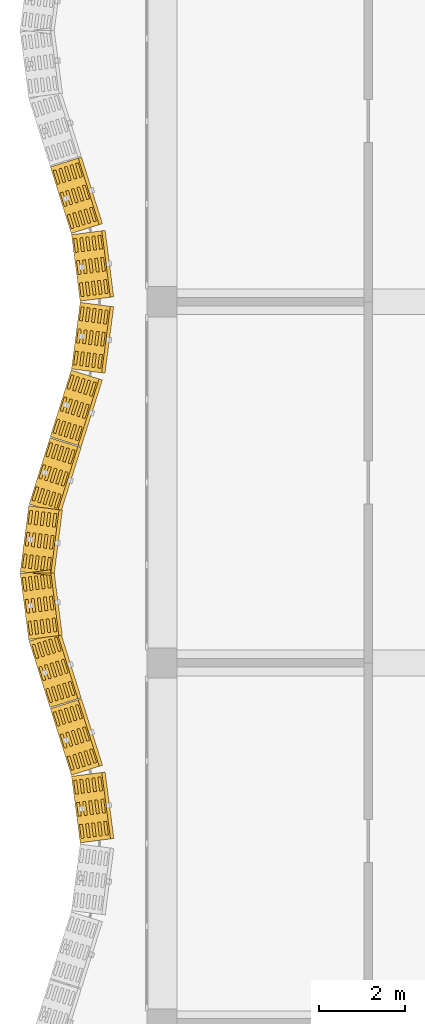
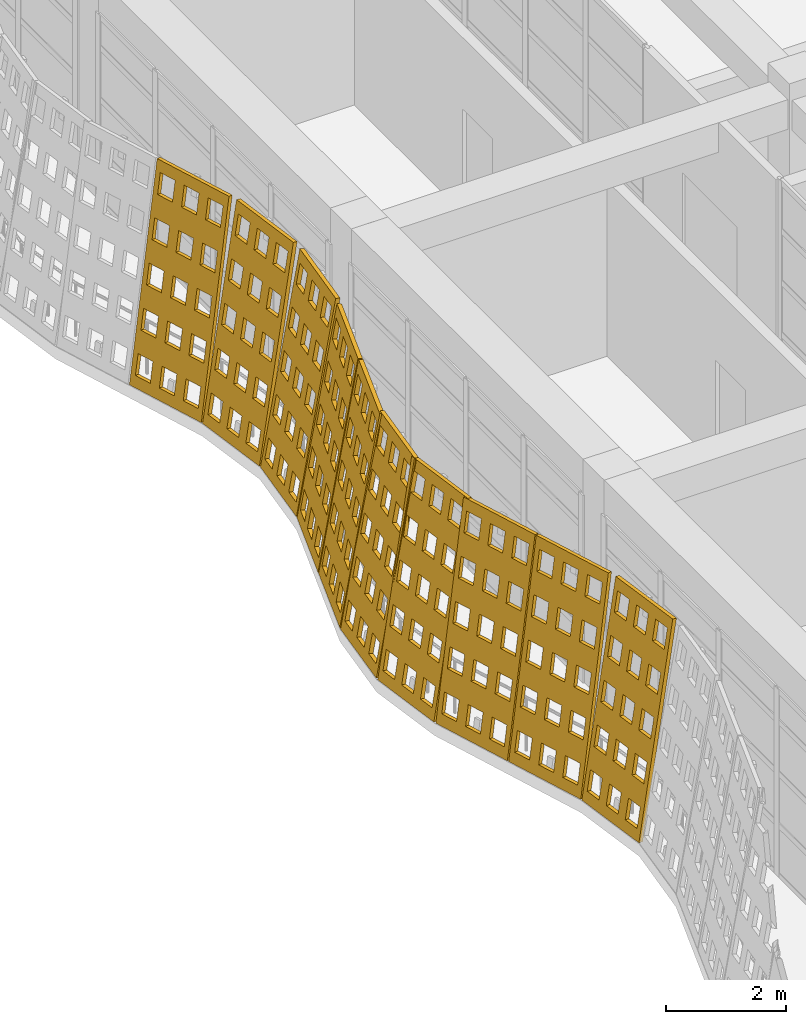
# One storey, part 74 of 85: 10 coverings.
"""IFC4 building model written with IfcOpenShell, lengths in metres."""

from ifc_helpers import new_model, si_unit, direction, frame, origin, place, context, subcontext, project, spatial, polyline, outline, extrude, material, layer, layer_set, type_object, element, save


model = new_model("IFC4")

# Units and contexts
model_context = context("Model", 3, precision=1e-05, world=origin(), true_north=direction((0.0, 1.0)))
body_context = subcontext(model_context, "Body", "Model", "MODEL_VIEW")
ifc_project = project(units=[si_unit("LENGTHUNIT", "METRE"), si_unit("AREAUNIT", "SQUARE_METRE"), si_unit("VOLUMEUNIT", "CUBIC_METRE"), si_unit("PLANEANGLEUNIT", "RADIAN"), si_unit("MASSUNIT", "GRAM", prefix="KILO")], contexts=[model_context])

# Site, building, storey
site_placement = place(None, origin())
site = spatial("IfcSite", under=ifc_project, at=site_placement, CompositionType="ELEMENT")
building_placement = place(site_placement, origin())
building = spatial("IfcBuilding", under=site, at=building_placement, Name="Rain Tree Exposition and Congress Centre", CompositionType="ELEMENT")
storey_placement = place(building_placement, frame((0.0, 0.0, 15.0)))
storey = spatial("IfcBuildingStorey", under=building, at=storey_placement, Name="L03", CompositionType="ELEMENT", Elevation=15.0)

# Coverings
ifc_material = material(Name="Perforated terracotta", Category="masonry")
ifc_layer = layer(ifc_material, 0.080078125)
ifc_layer_set = layer_set([ifc_layer], Name="Perforated terracotta")
covering_type = type_object("IfcCoveringType", Name="Terracotta screen 80", PredefinedType="CLADDING", material=ifc_layer_set)
covering_1_placement = place(storey_placement, frame((-2.598388671875, 28.3505859375, 0.0126953125), z_axis=(0.942029390639, 0.295717964052, -0.158529217842), x_axis=(-0.29950542383, 0.954094597562, 0.0)))
element("IfcCovering", 1, at=covering_1_placement, inside=storey, type_object=covering_type, Name="wing/screen/L03/117", PredefinedType="CLADDING", context=body_context, shape_type="SweptSolid", body=[
    extrude(outline(polyline([(-1.635986328125, 0.0), (-1.635986328125, 4.291259765625), (-0.014892578125, 4.291259765625), (-0.014892578125, 0.0), (-1.635986328125, 0.0)]), holes=[polyline([(-0.11767578125, 0.221435546875), (-0.11767578125, 0.63671875), (-0.45263671875, 0.63671875), (-0.45263671875, 0.221435546875), (-0.11767578125, 0.221435546875)]), polyline([(-0.11767578125, 1.07958984375), (-0.11767578125, 1.4951171875), (-0.45263671875, 1.4951171875), (-0.45263671875, 1.07958984375), (-0.11767578125, 1.07958984375)]), polyline([(-0.11767578125, 1.93798828125), (-0.11767578125, 2.353271484375), (-0.45263671875, 2.353271484375), (-0.45263671875, 1.93798828125), (-0.11767578125, 1.93798828125)]), polyline([(-0.11767578125, 2.796142578125), (-0.11767578125, 3.21142578125), (-0.45263671875, 3.21142578125), (-0.45263671875, 2.796142578125), (-0.11767578125, 2.796142578125)]), polyline([(-0.11767578125, 3.654541015625), (-0.11767578125, 4.06982421875), (-0.45263671875, 4.06982421875), (-0.45263671875, 3.654541015625), (-0.11767578125, 3.654541015625)]), polyline([(-0.657958984375, 0.221435546875), (-0.657958984375, 0.63671875), (-0.992919921875, 0.63671875), (-0.992919921875, 0.221435546875), (-0.657958984375, 0.221435546875)]), polyline([(-0.657958984375, 1.07958984375), (-0.657958984375, 1.4951171875), (-0.992919921875, 1.4951171875), (-0.992919921875, 1.07958984375), (-0.657958984375, 1.07958984375)]), polyline([(-0.657958984375, 1.93798828125), (-0.657958984375, 2.353271484375), (-0.992919921875, 2.353271484375), (-0.992919921875, 1.93798828125), (-0.657958984375, 1.93798828125)]), polyline([(-0.657958984375, 2.796142578125), (-0.657958984375, 3.21142578125), (-0.992919921875, 3.21142578125), (-0.992919921875, 2.796142578125), (-0.657958984375, 2.796142578125)]), polyline([(-0.657958984375, 3.654541015625), (-0.657958984375, 4.06982421875), (-0.992919921875, 4.06982421875), (-0.992919921875, 3.654541015625), (-0.657958984375, 3.654541015625)]), polyline([(-1.1982421875, 0.221435546875), (-1.1982421875, 0.63671875), (-1.533203125, 0.63671875), (-1.533203125, 0.221435546875), (-1.1982421875, 0.221435546875)]), polyline([(-1.1982421875, 1.07958984375), (-1.1982421875, 1.4951171875), (-1.533203125, 1.4951171875), (-1.533203125, 1.07958984375), (-1.1982421875, 1.07958984375)]), polyline([(-1.1982421875, 1.93798828125), (-1.1982421875, 2.353271484375), (-1.533203125, 2.353271484375), (-1.533203125, 1.93798828125), (-1.1982421875, 1.93798828125)]), polyline([(-1.1982421875, 2.796142578125), (-1.1982421875, 3.21142578125), (-1.533203125, 3.21142578125), (-1.533203125, 2.796142578125), (-1.1982421875, 2.796142578125)]), polyline([(-1.1982421875, 3.654541015625), (-1.1982421875, 4.06982421875), (-1.533203125, 4.06982421875), (-1.533203125, 3.654541015625), (-1.1982421875, 3.654541015625)])]), origin(), (0.0, 0.0, 1.0), 0.080078125),
])
covering_2_placement = place(storey_placement, frame((-2.10302734375, 26.775390625, 0.01318359375), z_axis=(0.978282259159, 0.125342414455, -0.165085131233), x_axis=(-0.127086122318, 0.991891686382, 0.0)))
element("IfcCovering", 2, at=covering_2_placement, inside=storey, type_object=covering_type, Name="wing/screen/L03/118", PredefinedType="CLADDING", context=body_context, shape_type="SweptSolid", body=[
    extrude(outline(polyline([(-1.5732421875, 0.0), (-1.5732421875, 4.295166015625), (-0.014892578125, 4.295166015625), (-0.014892578125, 0.0), (-1.5732421875, 0.0)]), holes=[polyline([(-0.11376953125, 0.2216796875), (-0.11376953125, 0.63720703125), (-0.435791015625, 0.63720703125), (-0.435791015625, 0.2216796875), (-0.11376953125, 0.2216796875)]), polyline([(-0.11376953125, 1.080810546875), (-0.11376953125, 1.496337890625), (-0.435791015625, 1.496337890625), (-0.435791015625, 1.080810546875), (-0.11376953125, 1.080810546875)]), polyline([(-0.11376953125, 1.939697265625), (-0.11376953125, 2.35546875), (-0.435791015625, 2.35546875), (-0.435791015625, 1.939697265625), (-0.11376953125, 1.939697265625)]), polyline([(-0.11376953125, 2.798583984375), (-0.11376953125, 3.21435546875), (-0.435791015625, 3.21435546875), (-0.435791015625, 2.798583984375), (-0.11376953125, 2.798583984375)]), polyline([(-0.11376953125, 3.65771484375), (-0.11376953125, 4.073486328125), (-0.435791015625, 4.073486328125), (-0.435791015625, 3.65771484375), (-0.11376953125, 3.65771484375)]), polyline([(-0.633056640625, 0.2216796875), (-0.633056640625, 0.63720703125), (-0.955078125, 0.63720703125), (-0.955078125, 0.2216796875), (-0.633056640625, 0.2216796875)]), polyline([(-0.633056640625, 1.080810546875), (-0.633056640625, 1.496337890625), (-0.955078125, 1.496337890625), (-0.955078125, 1.080810546875), (-0.633056640625, 1.080810546875)]), polyline([(-0.633056640625, 1.939697265625), (-0.633056640625, 2.35546875), (-0.955078125, 2.35546875), (-0.955078125, 1.939697265625), (-0.633056640625, 1.939697265625)]), polyline([(-0.633056640625, 2.798583984375), (-0.633056640625, 3.21435546875), (-0.955078125, 3.21435546875), (-0.955078125, 2.798583984375), (-0.633056640625, 2.798583984375)]), polyline([(-0.633056640625, 3.65771484375), (-0.633056640625, 4.073486328125), (-0.955078125, 4.073486328125), (-0.955078125, 3.65771484375), (-0.633056640625, 3.65771484375)]), polyline([(-1.152587890625, 0.2216796875), (-1.152587890625, 0.63720703125), (-1.474609375, 0.63720703125), (-1.474609375, 0.2216796875), (-1.152587890625, 0.2216796875)]), polyline([(-1.152587890625, 1.080810546875), (-1.152587890625, 1.496337890625), (-1.474609375, 1.496337890625), (-1.474609375, 1.080810546875), (-1.152587890625, 1.080810546875)]), polyline([(-1.152587890625, 1.939697265625), (-1.152587890625, 2.35546875), (-1.474609375, 2.35546875), (-1.474609375, 1.939697265625), (-1.152587890625, 1.939697265625)]), polyline([(-1.152587890625, 2.798583984375), (-1.152587890625, 3.21435546875), (-1.474609375, 3.21435546875), (-1.474609375, 2.798583984375), (-1.152587890625, 2.798583984375)]), polyline([(-1.152587890625, 3.65771484375), (-1.152587890625, 4.073486328125), (-1.474609375, 4.073486328125), (-1.474609375, 3.65771484375), (-1.152587890625, 3.65771484375)])]), origin(), (0.0, 0.0, 1.0), 0.079833984375),
])
covering_3_placement = place(storey_placement, frame((-1.898193359375, 25.19970703125, 0.01318359375), z_axis=(0.978036007662, -0.127967328105, -0.16452942185), x_axis=(0.129735338481, 0.991548658387, 0.0)))
element("IfcCovering", 3, at=covering_3_placement, inside=storey, type_object=covering_type, Name="wing/screen/L03/119", PredefinedType="CLADDING", context=body_context, shape_type="SweptSolid", body=[
    extrude(outline(polyline([(-1.5732421875, 0.0), (-1.5732421875, 4.295166015625), (-0.014892578125, 4.295166015625), (-0.014892578125, 0.0), (-1.5732421875, 0.0)]), holes=[polyline([(-0.11376953125, 0.2216796875), (-0.11376953125, 0.63720703125), (-0.435791015625, 0.63720703125), (-0.435791015625, 0.2216796875), (-0.11376953125, 0.2216796875)]), polyline([(-0.11376953125, 1.080810546875), (-0.11376953125, 1.496337890625), (-0.435791015625, 1.496337890625), (-0.435791015625, 1.080810546875), (-0.11376953125, 1.080810546875)]), polyline([(-0.11376953125, 1.939697265625), (-0.11376953125, 2.35546875), (-0.435791015625, 2.35546875), (-0.435791015625, 1.939697265625), (-0.11376953125, 1.939697265625)]), polyline([(-0.11376953125, 2.798583984375), (-0.11376953125, 3.21435546875), (-0.435791015625, 3.21435546875), (-0.435791015625, 2.798583984375), (-0.11376953125, 2.798583984375)]), polyline([(-0.11376953125, 3.65771484375), (-0.11376953125, 4.073486328125), (-0.435791015625, 4.073486328125), (-0.435791015625, 3.65771484375), (-0.11376953125, 3.65771484375)]), polyline([(-0.633056640625, 0.2216796875), (-0.633056640625, 0.63720703125), (-0.955078125, 0.63720703125), (-0.955078125, 0.2216796875), (-0.633056640625, 0.2216796875)]), polyline([(-0.633056640625, 1.080810546875), (-0.633056640625, 1.496337890625), (-0.955078125, 1.496337890625), (-0.955078125, 1.080810546875), (-0.633056640625, 1.080810546875)]), polyline([(-0.633056640625, 1.939697265625), (-0.633056640625, 2.35546875), (-0.955078125, 2.35546875), (-0.955078125, 1.939697265625), (-0.633056640625, 1.939697265625)]), polyline([(-0.633056640625, 2.798583984375), (-0.633056640625, 3.21435546875), (-0.955078125, 3.21435546875), (-0.955078125, 2.798583984375), (-0.633056640625, 2.798583984375)]), polyline([(-0.633056640625, 3.65771484375), (-0.633056640625, 4.073486328125), (-0.955078125, 4.073486328125), (-0.955078125, 3.65771484375), (-0.633056640625, 3.65771484375)]), polyline([(-1.152587890625, 0.2216796875), (-1.152587890625, 0.63720703125), (-1.474609375, 0.63720703125), (-1.474609375, 0.2216796875), (-1.152587890625, 0.2216796875)]), polyline([(-1.152587890625, 1.080810546875), (-1.152587890625, 1.496337890625), (-1.474609375, 1.496337890625), (-1.474609375, 1.080810546875), (-1.152587890625, 1.080810546875)]), polyline([(-1.152587890625, 1.939697265625), (-1.152587890625, 2.35546875), (-1.474609375, 2.35546875), (-1.474609375, 1.939697265625), (-1.152587890625, 1.939697265625)]), polyline([(-1.152587890625, 2.798583984375), (-1.152587890625, 3.21435546875), (-1.474609375, 3.21435546875), (-1.474609375, 2.798583984375), (-1.152587890625, 2.798583984375)]), polyline([(-1.152587890625, 3.65771484375), (-1.152587890625, 4.073486328125), (-1.474609375, 4.073486328125), (-1.474609375, 3.65771484375), (-1.152587890625, 3.65771484375)])]), origin(), (0.0, 0.0, 1.0), 0.080078125),
])
covering_4_placement = place(storey_placement, frame((-2.103515625, 23.62451171875, 0.0126953125), z_axis=(0.941176896939, -0.298496232686, -0.158385756119), x_axis=(0.302312226207, 0.953208958144, 0.0)))
element("IfcCovering", 4, at=covering_4_placement, inside=storey, type_object=covering_type, Name="wing/screen/L03/120", PredefinedType="CLADDING", context=body_context, shape_type="SweptSolid", body=[
    extrude(outline(polyline([(-1.635986328125, 0.0), (-1.635986328125, 4.291259765625), (-0.014892578125, 4.291259765625), (-0.014892578125, 0.0), (-1.635986328125, 0.0)]), holes=[polyline([(-0.11767578125, 0.221435546875), (-0.11767578125, 0.63671875), (-0.45263671875, 0.63671875), (-0.45263671875, 0.221435546875), (-0.11767578125, 0.221435546875)]), polyline([(-0.11767578125, 1.07958984375), (-0.11767578125, 1.4951171875), (-0.45263671875, 1.4951171875), (-0.45263671875, 1.07958984375), (-0.11767578125, 1.07958984375)]), polyline([(-0.11767578125, 1.93798828125), (-0.11767578125, 2.353271484375), (-0.45263671875, 2.353271484375), (-0.45263671875, 1.93798828125), (-0.11767578125, 1.93798828125)]), polyline([(-0.11767578125, 2.796142578125), (-0.11767578125, 3.21142578125), (-0.45263671875, 3.21142578125), (-0.45263671875, 2.796142578125), (-0.11767578125, 2.796142578125)]), polyline([(-0.11767578125, 3.654541015625), (-0.11767578125, 4.06982421875), (-0.45263671875, 4.06982421875), (-0.45263671875, 3.654541015625), (-0.11767578125, 3.654541015625)]), polyline([(-0.657958984375, 0.221435546875), (-0.657958984375, 0.63671875), (-0.992919921875, 0.63671875), (-0.992919921875, 0.221435546875), (-0.657958984375, 0.221435546875)]), polyline([(-0.657958984375, 1.07958984375), (-0.657958984375, 1.4951171875), (-0.992919921875, 1.4951171875), (-0.992919921875, 1.07958984375), (-0.657958984375, 1.07958984375)]), polyline([(-0.657958984375, 1.93798828125), (-0.657958984375, 2.353271484375), (-0.992919921875, 2.353271484375), (-0.992919921875, 1.93798828125), (-0.657958984375, 1.93798828125)]), polyline([(-0.657958984375, 2.796142578125), (-0.657958984375, 3.21142578125), (-0.992919921875, 3.21142578125), (-0.992919921875, 2.796142578125), (-0.657958984375, 2.796142578125)]), polyline([(-0.657958984375, 3.654541015625), (-0.657958984375, 4.06982421875), (-0.992919921875, 4.06982421875), (-0.992919921875, 3.654541015625), (-0.657958984375, 3.654541015625)]), polyline([(-1.1982421875, 0.221435546875), (-1.1982421875, 0.63671875), (-1.533203125, 0.63671875), (-1.533203125, 0.221435546875), (-1.1982421875, 0.221435546875)]), polyline([(-1.1982421875, 1.07958984375), (-1.1982421875, 1.4951171875), (-1.533203125, 1.4951171875), (-1.533203125, 1.07958984375), (-1.1982421875, 1.07958984375)]), polyline([(-1.1982421875, 1.93798828125), (-1.1982421875, 2.353271484375), (-1.533203125, 2.353271484375), (-1.533203125, 1.93798828125), (-1.1982421875, 1.93798828125)]), polyline([(-1.1982421875, 2.796142578125), (-1.1982421875, 3.21142578125), (-1.533203125, 3.21142578125), (-1.533203125, 2.796142578125), (-1.1982421875, 2.796142578125)]), polyline([(-1.1982421875, 3.654541015625), (-1.1982421875, 4.06982421875), (-1.533203125, 4.06982421875), (-1.533203125, 3.654541015625), (-1.1982421875, 3.654541015625)])]), origin(), (0.0, 0.0, 1.0), 0.080078125),
])
covering_5_placement = place(storey_placement, frame((-2.598388671875, 22.04931640625, 0.0126953125), z_axis=(0.942029390639, -0.295717964052, -0.158529217842), x_axis=(0.29950542383, 0.954094597562, 0.0)))
element("IfcCovering", 5, at=covering_5_placement, inside=storey, type_object=covering_type, Name="wing/screen/L03/121", PredefinedType="CLADDING", context=body_context, shape_type="SweptSolid", body=[
    extrude(outline(polyline([(-1.62890625, 0.0), (-1.62890625, 4.291259765625), (-0.014892578125, 4.291259765625), (-0.014892578125, 0.0), (-1.62890625, 0.0)]), holes=[polyline([(-0.1171875, 0.221435546875), (-0.1171875, 0.63671875), (-0.45068359375, 0.63671875), (-0.45068359375, 0.221435546875), (-0.1171875, 0.221435546875)]), polyline([(-0.1171875, 1.07958984375), (-0.1171875, 1.4951171875), (-0.45068359375, 1.4951171875), (-0.45068359375, 1.07958984375), (-0.1171875, 1.07958984375)]), polyline([(-0.1171875, 1.93798828125), (-0.1171875, 2.353271484375), (-0.45068359375, 2.353271484375), (-0.45068359375, 1.93798828125), (-0.1171875, 1.93798828125)]), polyline([(-0.1171875, 2.796142578125), (-0.1171875, 3.21142578125), (-0.45068359375, 3.21142578125), (-0.45068359375, 2.796142578125), (-0.1171875, 2.796142578125)]), polyline([(-0.1171875, 3.654541015625), (-0.1171875, 4.06982421875), (-0.45068359375, 4.06982421875), (-0.45068359375, 3.654541015625), (-0.1171875, 3.654541015625)]), polyline([(-0.6552734375, 0.221435546875), (-0.6552734375, 0.63671875), (-0.98876953125, 0.63671875), (-0.98876953125, 0.221435546875), (-0.6552734375, 0.221435546875)]), polyline([(-0.6552734375, 1.07958984375), (-0.6552734375, 1.4951171875), (-0.98876953125, 1.4951171875), (-0.98876953125, 1.07958984375), (-0.6552734375, 1.07958984375)]), polyline([(-0.6552734375, 1.93798828125), (-0.6552734375, 2.353271484375), (-0.98876953125, 2.353271484375), (-0.98876953125, 1.93798828125), (-0.6552734375, 1.93798828125)]), polyline([(-0.6552734375, 2.796142578125), (-0.6552734375, 3.21142578125), (-0.98876953125, 3.21142578125), (-0.98876953125, 2.796142578125), (-0.6552734375, 2.796142578125)]), polyline([(-0.6552734375, 3.654541015625), (-0.6552734375, 4.06982421875), (-0.98876953125, 4.06982421875), (-0.98876953125, 3.654541015625), (-0.6552734375, 3.654541015625)]), polyline([(-1.193115234375, 0.221435546875), (-1.193115234375, 0.63671875), (-1.526611328125, 0.63671875), (-1.526611328125, 0.221435546875), (-1.193115234375, 0.221435546875)]), polyline([(-1.193115234375, 1.07958984375), (-1.193115234375, 1.4951171875), (-1.526611328125, 1.4951171875), (-1.526611328125, 1.07958984375), (-1.193115234375, 1.07958984375)]), polyline([(-1.193115234375, 1.93798828125), (-1.193115234375, 2.353271484375), (-1.526611328125, 2.353271484375), (-1.526611328125, 1.93798828125), (-1.193115234375, 1.93798828125)]), polyline([(-1.193115234375, 2.796142578125), (-1.193115234375, 3.21142578125), (-1.526611328125, 3.21142578125), (-1.526611328125, 2.796142578125), (-1.193115234375, 2.796142578125)]), polyline([(-1.193115234375, 3.654541015625), (-1.193115234375, 4.06982421875), (-1.526611328125, 4.06982421875), (-1.526611328125, 3.654541015625), (-1.193115234375, 3.654541015625)])]), origin(), (0.0, 0.0, 1.0), 0.080078125),
])
covering_6_placement = place(storey_placement, frame((-3.093017578125, 20.474609375, 0.01318359375), z_axis=(0.978282259159, -0.125342414455, -0.165085131233), x_axis=(0.127086122318, 0.991891686382, 0.0)))
element("IfcCovering", 6, at=covering_6_placement, inside=storey, type_object=covering_type, Name="wing/screen/L03/122", PredefinedType="CLADDING", context=body_context, shape_type="SweptSolid", body=[
    extrude(outline(polyline([(-1.56298828125, 0.0), (-1.56298828125, 4.295166015625), (-0.02197265625, 4.295166015625), (-0.02197265625, 0.0), (-1.56298828125, 0.0)]), holes=[polyline([(-0.11962890625, 0.2216796875), (-0.11962890625, 0.63720703125), (-0.43798828125, 0.63720703125), (-0.43798828125, 0.2216796875), (-0.11962890625, 0.2216796875)]), polyline([(-0.11962890625, 1.080810546875), (-0.11962890625, 1.496337890625), (-0.43798828125, 1.496337890625), (-0.43798828125, 1.080810546875), (-0.11962890625, 1.080810546875)]), polyline([(-0.11962890625, 1.939697265625), (-0.11962890625, 2.35546875), (-0.43798828125, 2.35546875), (-0.43798828125, 1.939697265625), (-0.11962890625, 1.939697265625)]), polyline([(-0.11962890625, 2.798583984375), (-0.11962890625, 3.21435546875), (-0.43798828125, 3.21435546875), (-0.43798828125, 2.798583984375), (-0.11962890625, 2.798583984375)]), polyline([(-0.11962890625, 3.65771484375), (-0.11962890625, 4.073486328125), (-0.43798828125, 4.073486328125), (-0.43798828125, 3.65771484375), (-0.11962890625, 3.65771484375)]), polyline([(-0.63330078125, 0.2216796875), (-0.63330078125, 0.63720703125), (-0.95166015625, 0.63720703125), (-0.95166015625, 0.2216796875), (-0.63330078125, 0.2216796875)]), polyline([(-0.63330078125, 1.080810546875), (-0.63330078125, 1.496337890625), (-0.95166015625, 1.496337890625), (-0.95166015625, 1.080810546875), (-0.63330078125, 1.080810546875)]), polyline([(-0.63330078125, 1.939697265625), (-0.63330078125, 2.35546875), (-0.95166015625, 2.35546875), (-0.95166015625, 1.939697265625), (-0.63330078125, 1.939697265625)]), polyline([(-0.63330078125, 2.798583984375), (-0.63330078125, 3.21435546875), (-0.95166015625, 3.21435546875), (-0.95166015625, 2.798583984375), (-0.63330078125, 2.798583984375)]), polyline([(-0.63330078125, 3.65771484375), (-0.63330078125, 4.073486328125), (-0.95166015625, 4.073486328125), (-0.95166015625, 3.65771484375), (-0.63330078125, 3.65771484375)]), polyline([(-1.146728515625, 0.2216796875), (-1.146728515625, 0.63720703125), (-1.46533203125, 0.63720703125), (-1.46533203125, 0.2216796875), (-1.146728515625, 0.2216796875)]), polyline([(-1.146728515625, 1.080810546875), (-1.146728515625, 1.496337890625), (-1.46533203125, 1.496337890625), (-1.46533203125, 1.080810546875), (-1.146728515625, 1.080810546875)]), polyline([(-1.146728515625, 1.939697265625), (-1.146728515625, 2.35546875), (-1.46533203125, 2.35546875), (-1.46533203125, 1.939697265625), (-1.146728515625, 1.939697265625)]), polyline([(-1.146728515625, 2.798583984375), (-1.146728515625, 3.21435546875), (-1.46533203125, 3.21435546875), (-1.46533203125, 2.798583984375), (-1.146728515625, 2.798583984375)]), polyline([(-1.146728515625, 3.65771484375), (-1.146728515625, 4.073486328125), (-1.46533203125, 4.073486328125), (-1.46533203125, 3.65771484375), (-1.146728515625, 3.65771484375)])]), origin(), (0.0, 0.0, 1.0), 0.079833984375),
])
covering_7_placement = place(storey_placement, frame((-3.298095703125, 18.900390625, 0.01318359375), z_axis=(0.978282259159, 0.125342414455, -0.165085131233), x_axis=(-0.127086122318, 0.991891686382, 0.0)))
element("IfcCovering", 7, at=covering_7_placement, inside=storey, type_object=covering_type, Name="wing/screen/L03/123", PredefinedType="CLADDING", context=body_context, shape_type="SweptSolid", body=[
    extrude(outline(polyline([(-1.56640625, 0.0), (-1.56640625, 4.295166015625), (-0.025390625, 4.295166015625), (-0.025390625, 0.0), (-1.56640625, 0.0)]), holes=[polyline([(-0.123046875, 0.2216796875), (-0.123046875, 0.63720703125), (-0.44140625, 0.63720703125), (-0.44140625, 0.2216796875), (-0.123046875, 0.2216796875)]), polyline([(-0.123046875, 1.080810546875), (-0.123046875, 1.496337890625), (-0.44140625, 1.496337890625), (-0.44140625, 1.080810546875), (-0.123046875, 1.080810546875)]), polyline([(-0.123046875, 1.939697265625), (-0.123046875, 2.35546875), (-0.44140625, 2.35546875), (-0.44140625, 1.939697265625), (-0.123046875, 1.939697265625)]), polyline([(-0.123046875, 2.798583984375), (-0.123046875, 3.21435546875), (-0.44140625, 3.21435546875), (-0.44140625, 2.798583984375), (-0.123046875, 2.798583984375)]), polyline([(-0.123046875, 3.65771484375), (-0.123046875, 4.073486328125), (-0.44140625, 4.073486328125), (-0.44140625, 3.65771484375), (-0.123046875, 3.65771484375)]), polyline([(-0.63671875, 0.2216796875), (-0.63671875, 0.63720703125), (-0.955078125, 0.63720703125), (-0.955078125, 0.2216796875), (-0.63671875, 0.2216796875)]), polyline([(-0.63671875, 1.080810546875), (-0.63671875, 1.496337890625), (-0.955078125, 1.496337890625), (-0.955078125, 1.080810546875), (-0.63671875, 1.080810546875)]), polyline([(-0.63671875, 1.939697265625), (-0.63671875, 2.35546875), (-0.955078125, 2.35546875), (-0.955078125, 1.939697265625), (-0.63671875, 1.939697265625)]), polyline([(-0.63671875, 2.798583984375), (-0.63671875, 3.21435546875), (-0.955078125, 3.21435546875), (-0.955078125, 2.798583984375), (-0.63671875, 2.798583984375)]), polyline([(-0.63671875, 3.65771484375), (-0.63671875, 4.073486328125), (-0.955078125, 4.073486328125), (-0.955078125, 3.65771484375), (-0.63671875, 3.65771484375)]), polyline([(-1.150146484375, 0.2216796875), (-1.150146484375, 0.63720703125), (-1.46875, 0.63720703125), (-1.46875, 0.2216796875), (-1.150146484375, 0.2216796875)]), polyline([(-1.150146484375, 1.080810546875), (-1.150146484375, 1.496337890625), (-1.46875, 1.496337890625), (-1.46875, 1.080810546875), (-1.150146484375, 1.080810546875)]), polyline([(-1.150146484375, 1.939697265625), (-1.150146484375, 2.35546875), (-1.46875, 2.35546875), (-1.46875, 1.939697265625), (-1.150146484375, 1.939697265625)]), polyline([(-1.150146484375, 2.798583984375), (-1.150146484375, 3.21435546875), (-1.46875, 3.21435546875), (-1.46875, 2.798583984375), (-1.150146484375, 2.798583984375)]), polyline([(-1.150146484375, 3.65771484375), (-1.150146484375, 4.073486328125), (-1.46875, 4.073486328125), (-1.46875, 3.65771484375), (-1.150146484375, 3.65771484375)])]), origin(), (0.0, 0.0, 1.0), 0.079833984375),
])
covering_8_placement = place(storey_placement, frame((-3.093505859375, 17.32568359375, 0.0126953125), z_axis=(0.942029390639, 0.295717964052, -0.158529217842), x_axis=(-0.29950542383, 0.954094597562, 0.0)))
element("IfcCovering", 8, at=covering_8_placement, inside=storey, type_object=covering_type, Name="wing/screen/L03/124", PredefinedType="CLADDING", context=body_context, shape_type="SweptSolid", body=[
    extrude(outline(polyline([(-1.635986328125, 0.0), (-1.635986328125, 4.291259765625), (-0.02197265625, 4.291259765625), (-0.02197265625, 0.0), (-1.635986328125, 0.0)]), holes=[polyline([(-0.124267578125, 0.221435546875), (-0.124267578125, 0.63671875), (-0.457763671875, 0.63671875), (-0.457763671875, 0.221435546875), (-0.124267578125, 0.221435546875)]), polyline([(-0.124267578125, 1.07958984375), (-0.124267578125, 1.4951171875), (-0.457763671875, 1.4951171875), (-0.457763671875, 1.07958984375), (-0.124267578125, 1.07958984375)]), polyline([(-0.124267578125, 1.93798828125), (-0.124267578125, 2.353271484375), (-0.457763671875, 2.353271484375), (-0.457763671875, 1.93798828125), (-0.124267578125, 1.93798828125)]), polyline([(-0.124267578125, 2.796142578125), (-0.124267578125, 3.21142578125), (-0.457763671875, 3.21142578125), (-0.457763671875, 2.796142578125), (-0.124267578125, 2.796142578125)]), polyline([(-0.124267578125, 3.654541015625), (-0.124267578125, 4.06982421875), (-0.457763671875, 4.06982421875), (-0.457763671875, 3.654541015625), (-0.124267578125, 3.654541015625)]), polyline([(-0.662109375, 0.221435546875), (-0.662109375, 0.63671875), (-0.995849609375, 0.63671875), (-0.995849609375, 0.221435546875), (-0.662109375, 0.221435546875)]), polyline([(-0.662109375, 1.07958984375), (-0.662109375, 1.4951171875), (-0.995849609375, 1.4951171875), (-0.995849609375, 1.07958984375), (-0.662109375, 1.07958984375)]), polyline([(-0.662109375, 1.93798828125), (-0.662109375, 2.353271484375), (-0.995849609375, 2.353271484375), (-0.995849609375, 1.93798828125), (-0.662109375, 1.93798828125)]), polyline([(-0.662109375, 2.796142578125), (-0.662109375, 3.21142578125), (-0.995849609375, 3.21142578125), (-0.995849609375, 2.796142578125), (-0.662109375, 2.796142578125)]), polyline([(-0.662109375, 3.654541015625), (-0.662109375, 4.06982421875), (-0.995849609375, 4.06982421875), (-0.995849609375, 3.654541015625), (-0.662109375, 3.654541015625)]), polyline([(-1.2001953125, 0.221435546875), (-1.2001953125, 0.63671875), (-1.53369140625, 0.63671875), (-1.53369140625, 0.221435546875), (-1.2001953125, 0.221435546875)]), polyline([(-1.2001953125, 1.07958984375), (-1.2001953125, 1.4951171875), (-1.53369140625, 1.4951171875), (-1.53369140625, 1.07958984375), (-1.2001953125, 1.07958984375)]), polyline([(-1.2001953125, 1.93798828125), (-1.2001953125, 2.353271484375), (-1.53369140625, 2.353271484375), (-1.53369140625, 1.93798828125), (-1.2001953125, 1.93798828125)]), polyline([(-1.2001953125, 2.796142578125), (-1.2001953125, 3.21142578125), (-1.53369140625, 3.21142578125), (-1.53369140625, 2.796142578125), (-1.2001953125, 2.796142578125)]), polyline([(-1.2001953125, 3.654541015625), (-1.2001953125, 4.06982421875), (-1.53369140625, 4.06982421875), (-1.53369140625, 3.654541015625), (-1.2001953125, 3.654541015625)])]), origin(), (0.0, 0.0, 1.0), 0.080078125),
])
covering_9_placement = place(storey_placement, frame((-2.598388671875, 15.75048828125, 0.0126953125), z_axis=(0.941176896939, 0.298496232686, -0.158385756119), x_axis=(-0.302312226207, 0.953208958144, 0.0)))
element("IfcCovering", 9, at=covering_9_placement, inside=storey, type_object=covering_type, Name="wing/screen/L03/125", PredefinedType="CLADDING", context=body_context, shape_type="SweptSolid", body=[
    extrude(outline(polyline([(-1.635986328125, 0.0), (-1.635986328125, 4.291259765625), (-0.014892578125, 4.291259765625), (-0.014892578125, 0.0), (-1.635986328125, 0.0)]), holes=[polyline([(-0.11767578125, 0.221435546875), (-0.11767578125, 0.63671875), (-0.45263671875, 0.63671875), (-0.45263671875, 0.221435546875), (-0.11767578125, 0.221435546875)]), polyline([(-0.11767578125, 1.07958984375), (-0.11767578125, 1.4951171875), (-0.45263671875, 1.4951171875), (-0.45263671875, 1.07958984375), (-0.11767578125, 1.07958984375)]), polyline([(-0.11767578125, 1.93798828125), (-0.11767578125, 2.353271484375), (-0.45263671875, 2.353271484375), (-0.45263671875, 1.93798828125), (-0.11767578125, 1.93798828125)]), polyline([(-0.11767578125, 2.796142578125), (-0.11767578125, 3.21142578125), (-0.45263671875, 3.21142578125), (-0.45263671875, 2.796142578125), (-0.11767578125, 2.796142578125)]), polyline([(-0.11767578125, 3.654541015625), (-0.11767578125, 4.06982421875), (-0.45263671875, 4.06982421875), (-0.45263671875, 3.654541015625), (-0.11767578125, 3.654541015625)]), polyline([(-0.657958984375, 0.221435546875), (-0.657958984375, 0.63671875), (-0.992919921875, 0.63671875), (-0.992919921875, 0.221435546875), (-0.657958984375, 0.221435546875)]), polyline([(-0.657958984375, 1.07958984375), (-0.657958984375, 1.4951171875), (-0.992919921875, 1.4951171875), (-0.992919921875, 1.07958984375), (-0.657958984375, 1.07958984375)]), polyline([(-0.657958984375, 1.93798828125), (-0.657958984375, 2.353271484375), (-0.992919921875, 2.353271484375), (-0.992919921875, 1.93798828125), (-0.657958984375, 1.93798828125)]), polyline([(-0.657958984375, 2.796142578125), (-0.657958984375, 3.21142578125), (-0.992919921875, 3.21142578125), (-0.992919921875, 2.796142578125), (-0.657958984375, 2.796142578125)]), polyline([(-0.657958984375, 3.654541015625), (-0.657958984375, 4.06982421875), (-0.992919921875, 4.06982421875), (-0.992919921875, 3.654541015625), (-0.657958984375, 3.654541015625)]), polyline([(-1.1982421875, 0.221435546875), (-1.1982421875, 0.63671875), (-1.533203125, 0.63671875), (-1.533203125, 0.221435546875), (-1.1982421875, 0.221435546875)]), polyline([(-1.1982421875, 1.07958984375), (-1.1982421875, 1.4951171875), (-1.533203125, 1.4951171875), (-1.533203125, 1.07958984375), (-1.1982421875, 1.07958984375)]), polyline([(-1.1982421875, 1.93798828125), (-1.1982421875, 2.353271484375), (-1.533203125, 2.353271484375), (-1.533203125, 1.93798828125), (-1.1982421875, 1.93798828125)]), polyline([(-1.1982421875, 2.796142578125), (-1.1982421875, 3.21142578125), (-1.533203125, 3.21142578125), (-1.533203125, 2.796142578125), (-1.1982421875, 2.796142578125)]), polyline([(-1.1982421875, 3.654541015625), (-1.1982421875, 4.06982421875), (-1.533203125, 4.06982421875), (-1.533203125, 3.654541015625), (-1.1982421875, 3.654541015625)])]), origin(), (0.0, 0.0, 1.0), 0.080078125),
])
covering_10_placement = place(storey_placement, frame((-2.10302734375, 14.17529296875, 0.01318359375), z_axis=(0.9779030419, 0.128349774249, -0.165021138321), x_axis=(-0.130133906157, 0.991496427865, 0.0)))
element("IfcCovering", 10, at=covering_10_placement, inside=storey, type_object=covering_type, Name="wing/screen/L03/126", PredefinedType="CLADDING", context=body_context, shape_type="SweptSolid", body=[
    extrude(outline(polyline([(-1.5732421875, 0.0), (-1.5732421875, 4.295166015625), (-0.014892578125, 4.295166015625), (-0.014892578125, 0.0), (-1.5732421875, 0.0)]), holes=[polyline([(-0.11376953125, 0.2216796875), (-0.11376953125, 0.63720703125), (-0.435791015625, 0.63720703125), (-0.435791015625, 0.2216796875), (-0.11376953125, 0.2216796875)]), polyline([(-0.11376953125, 1.080810546875), (-0.11376953125, 1.496337890625), (-0.435791015625, 1.496337890625), (-0.435791015625, 1.080810546875), (-0.11376953125, 1.080810546875)]), polyline([(-0.11376953125, 1.939697265625), (-0.11376953125, 2.35546875), (-0.435791015625, 2.35546875), (-0.435791015625, 1.939697265625), (-0.11376953125, 1.939697265625)]), polyline([(-0.11376953125, 2.798583984375), (-0.11376953125, 3.21435546875), (-0.435791015625, 3.21435546875), (-0.435791015625, 2.798583984375), (-0.11376953125, 2.798583984375)]), polyline([(-0.11376953125, 3.65771484375), (-0.11376953125, 4.073486328125), (-0.435791015625, 4.073486328125), (-0.435791015625, 3.65771484375), (-0.11376953125, 3.65771484375)]), polyline([(-0.633056640625, 0.2216796875), (-0.633056640625, 0.63720703125), (-0.955078125, 0.63720703125), (-0.955078125, 0.2216796875), (-0.633056640625, 0.2216796875)]), polyline([(-0.633056640625, 1.080810546875), (-0.633056640625, 1.496337890625), (-0.955078125, 1.496337890625), (-0.955078125, 1.080810546875), (-0.633056640625, 1.080810546875)]), polyline([(-0.633056640625, 1.939697265625), (-0.633056640625, 2.35546875), (-0.955078125, 2.35546875), (-0.955078125, 1.939697265625), (-0.633056640625, 1.939697265625)]), polyline([(-0.633056640625, 2.798583984375), (-0.633056640625, 3.21435546875), (-0.955078125, 3.21435546875), (-0.955078125, 2.798583984375), (-0.633056640625, 2.798583984375)]), polyline([(-0.633056640625, 3.65771484375), (-0.633056640625, 4.073486328125), (-0.955078125, 4.073486328125), (-0.955078125, 3.65771484375), (-0.633056640625, 3.65771484375)]), polyline([(-1.152587890625, 0.2216796875), (-1.152587890625, 0.63720703125), (-1.474609375, 0.63720703125), (-1.474609375, 0.2216796875), (-1.152587890625, 0.2216796875)]), polyline([(-1.152587890625, 1.080810546875), (-1.152587890625, 1.496337890625), (-1.474609375, 1.496337890625), (-1.474609375, 1.080810546875), (-1.152587890625, 1.080810546875)]), polyline([(-1.152587890625, 1.939697265625), (-1.152587890625, 2.35546875), (-1.474609375, 2.35546875), (-1.474609375, 1.939697265625), (-1.152587890625, 1.939697265625)]), polyline([(-1.152587890625, 2.798583984375), (-1.152587890625, 3.21435546875), (-1.474609375, 3.21435546875), (-1.474609375, 2.798583984375), (-1.152587890625, 2.798583984375)]), polyline([(-1.152587890625, 3.65771484375), (-1.152587890625, 4.073486328125), (-1.474609375, 4.073486328125), (-1.474609375, 3.65771484375), (-1.152587890625, 3.65771484375)])]), origin(), (0.0, 0.0, 1.0), 0.079833984375),
])

save(model, "model.ifc")
